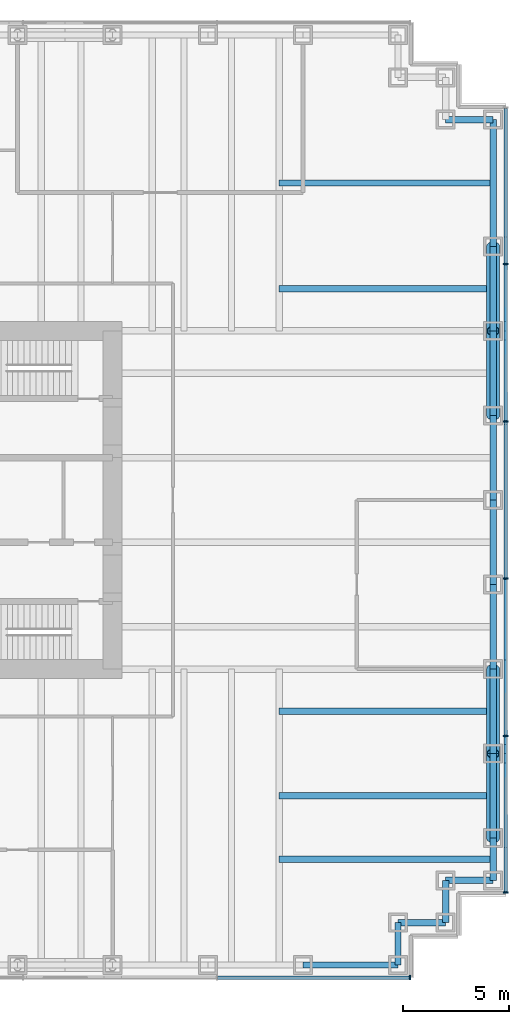
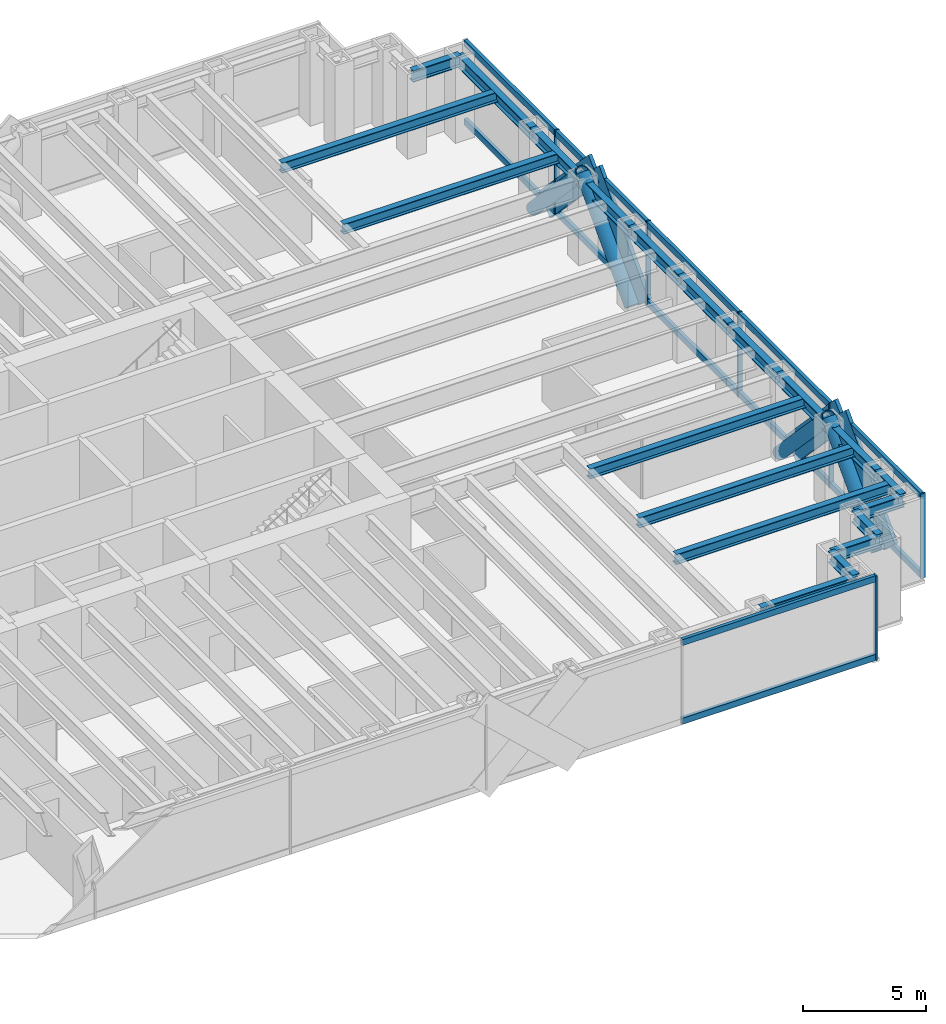
# One storey, part 8 of 15: 26 members, 20 beams, 2 elements without a shape of their own.
"""IFC4 building model written with IfcOpenShell, lengths in metres."""

from ifc_helpers import new_model, si_unit, direction, frame, origin, origin_2d, place, context, subcontext, project, spatial, rectangle, hollow_circle, i_section, extrude, material, material_profile, profile_set, type_object, element, aggregate, save


model = new_model("IFC4")

# Units and contexts
model_context = context("Model", 3, precision=1e-05, world=origin(), true_north=direction((0.0, 1.0)))
body_context = subcontext(model_context, "Body", "Model", "MODEL_VIEW")
ifc_project = project(units=[si_unit("LENGTHUNIT", "METRE"), si_unit("AREAUNIT", "SQUARE_METRE"), si_unit("VOLUMEUNIT", "CUBIC_METRE"), si_unit("PLANEANGLEUNIT", "RADIAN"), si_unit("MASSUNIT", "GRAM", prefix="KILO")], contexts=[model_context])

# Site, building, storey
site_placement = place(None, origin())
site = spatial("IfcSite", under=ifc_project, at=site_placement, CompositionType="ELEMENT")
building_placement = place(site_placement, origin())
building = spatial("IfcBuilding", under=site, at=building_placement, Name="Rheinbord Bourse Tower", CompositionType="ELEMENT")
storey_placement = place(building_placement, frame((0.0, 0.0, 108.89990234375)))
storey = spatial("IfcBuildingStorey", under=building, at=storey_placement, Name="L23", CompositionType="ELEMENT", Elevation=108.89990234375)

# Curtain wall, members
ifc_material_1 = material(Name="Dark glass and black aluminium", Category="aluminium")
curtain_wall_type = type_object("IfcCurtainWallType", Name="CW2 DARK GLASS CURTAIN WALL", PredefinedType="USERDEFINED", material=ifc_material_1)
curtain_wall_1_placement = place(storey_placement, origin())
curtain_wall_1 = element("IfcCurtainWall", 1, at=curtain_wall_1_placement, inside=storey, type_object=curtain_wall_type, Name="Curtain wall CW2 E L23", ObjectType="UNITISED CURTAIN WALL", PredefinedType="USERDEFINED")
ifc_material_2 = material(Name="Black anodised aluminium", Category="aluminium")
ifc_material_profile_1 = material_profile(ifc_material_2, rectangle(XDim=0.159912109375, YDim=1.2099609375, at=origin_2d()), Name="CW2 DIAGONAL MULLION 1210x160")
ifc_profile_set_1 = profile_set([ifc_material_profile_1], Name="Black anodised aluminium")
member_type_1 = type_object("IfcMemberType", Name="CW2 BLACK DIAGONAL MULLION", PredefinedType="USERDEFINED", material=ifc_profile_set_1)
member_1_placement = place(storey_placement, frame((72.60009765625, 28.0, 0.0), z_axis=(0.0, 0.689638355374, 0.72415394689), x_axis=(-1.0, 0.0, 0.0)))
member_1 = element("IfcMember", 2, at=member_1_placement, type_object=member_type_1, Name="CW2 diagonal mullion a", ObjectType="DIAGONAL MULLION", PredefinedType="USERDEFINED", context=body_context, shape_type="SweptSolid", body=[
    extrude(rectangle(XDim=0.159912109375, YDim=1.2099609375, at=origin_2d()), origin(), (0.0, 0.0, 1.0), 5.800048828125),
])
member_2_placement = place(storey_placement, frame((72.60009765625, 16.0, 0.0), z_axis=(0.0, -0.689638355374, 0.72415394689), x_axis=(1.0, 0.0, 0.0)))
member_2 = element("IfcMember", 3, at=member_2_placement, type_object=member_type_1, Name="CW2 diagonal mullion b", ObjectType="DIAGONAL MULLION", PredefinedType="USERDEFINED", context=body_context, shape_type="SweptSolid", body=[
    extrude(rectangle(XDim=0.159912109375, YDim=1.2099609375, at=origin_2d()), origin(), (0.0, 0.0, 1.0), 5.800048828125),
])
member_3_placement = place(storey_placement, frame((72.60009765625, 36.0, 0.0), z_axis=(0.0, -0.689638355374, 0.72415394689), x_axis=(1.0, 0.0, 0.0)))
member_3 = element("IfcMember", 4, at=member_3_placement, type_object=member_type_1, Name="CW2 diagonal mullion c", ObjectType="DIAGONAL MULLION", PredefinedType="USERDEFINED", context=body_context, shape_type="SweptSolid", body=[
    extrude(rectangle(XDim=0.159912109375, YDim=1.2099609375, at=origin_2d()), origin(), (0.0, 0.0, 1.0), 5.800048828125),
])
member_4_placement = place(storey_placement, frame((72.60009765625, 8.0, 0.0), z_axis=(0.0, 0.689638355374, 0.72415394689), x_axis=(-1.0, 0.0, 0.0)))
member_4 = element("IfcMember", 5, at=member_4_placement, type_object=member_type_1, Name="CW2 diagonal mullion d", ObjectType="DIAGONAL MULLION", PredefinedType="USERDEFINED", context=body_context, shape_type="SweptSolid", body=[
    extrude(rectangle(XDim=0.159912109375, YDim=1.2099609375, at=origin_2d()), origin(), (0.0, 0.0, 1.0), 5.800048828125),
])

# Curtain wall, member
curtain_wall_2_placement = place(storey_placement, origin())
curtain_wall_2 = element("IfcCurtainWall", 6, at=curtain_wall_2_placement, inside=storey, type_object=curtain_wall_type, Name="Curtain wall CW2 S L23", ObjectType="UNITISED CURTAIN WALL", PredefinedType="USERDEFINED")
ifc_material_3 = material(Name="Black anodised aluminium", Category="aluminium")
ifc_material_profile_2 = material_profile(ifc_material_3, rectangle(XDim=0.219970703125, YDim=0.070068359375, at=origin_2d()), Name="CW2 MULLION 70x220")
ifc_profile_set_2 = profile_set([ifc_material_profile_2], Name="Black anodised aluminium")
member_type_2 = type_object("IfcMemberType", Name="CW2 BLACK MULLION", PredefinedType="MULLION", material=ifc_profile_set_2)
member_5_placement = place(storey_placement, frame((68.06494140625, 1.39990234375, 0.0), z_axis=(0.0, 0.0, 1.0), x_axis=(0.0, 1.0, 0.0)))
member_5 = element("IfcMember", 7, at=member_5_placement, type_object=member_type_2, Name="CW2 mullion 8", PredefinedType="MULLION", context=body_context, shape_type="SweptSolid", body=[
    extrude(rectangle(XDim=0.219970703125, YDim=0.070068359375, at=origin_2d()), origin(), (0.0, 0.0, 1.0), 4.2001953125),
])

# Member
member_6_placement = place(storey_placement, frame((72.60009765625, 5.43505859375, 0.0), z_axis=(0.0, 0.0, 1.0), x_axis=(-1.0, 0.0, 0.0)))
member_6 = element("IfcMember", 8, at=member_6_placement, type_object=member_type_2, Name="CW2 mullion 1", PredefinedType="MULLION", context=body_context, shape_type="SweptSolid", body=[
    extrude(rectangle(XDim=0.219970703125, YDim=0.070068359375, at=origin_2d()), origin(), (0.0, 0.0, 1.0), 4.2001953125),
])

member_7_placement = place(storey_placement, frame((72.60009765625, 12.840087890625, 0.0), z_axis=(0.0, 0.0, 1.0), x_axis=(-1.0, 0.0, 0.0)))
member_7 = element("IfcMember", 9, at=member_7_placement, type_object=member_type_2, Name="CW2 mullion 2", PredefinedType="MULLION", context=body_context, shape_type="SweptSolid", body=[
    extrude(rectangle(XDim=0.219970703125, YDim=0.070068359375, at=origin_2d()), origin(), (0.0, 0.0, 1.0), 4.2001953125),
])

member_8_placement = place(storey_placement, frame((72.60009765625, 20.280029296875, 0.0), z_axis=(0.0, 0.0, 1.0), x_axis=(-1.0, 0.0, 0.0)))
member_8 = element("IfcMember", 10, at=member_8_placement, type_object=member_type_2, Name="CW2 mullion 3", PredefinedType="MULLION", context=body_context, shape_type="SweptSolid", body=[
    extrude(rectangle(XDim=0.219970703125, YDim=0.070068359375, at=origin_2d()), origin(), (0.0, 0.0, 1.0), 4.2001953125),
])

member_9_placement = place(storey_placement, frame((72.60009765625, 27.719970703125, 0.0), z_axis=(0.0, 0.0, 1.0), x_axis=(-1.0, 0.0, 0.0)))
member_9 = element("IfcMember", 11, at=member_9_placement, type_object=member_type_2, Name="CW2 mullion 4", PredefinedType="MULLION", context=body_context, shape_type="SweptSolid", body=[
    extrude(rectangle(XDim=0.219970703125, YDim=0.070068359375, at=origin_2d()), origin(), (0.0, 0.0, 1.0), 4.2001953125),
])

member_10_placement = place(storey_placement, frame((72.60009765625, 35.159912109375, 0.0), z_axis=(0.0, 0.0, 1.0), x_axis=(-1.0, 0.0, 0.0)))
member_10 = element("IfcMember", 12, at=member_10_placement, type_object=member_type_2, Name="CW2 mullion 5", PredefinedType="MULLION", context=body_context, shape_type="SweptSolid", body=[
    extrude(rectangle(XDim=0.219970703125, YDim=0.070068359375, at=origin_2d()), origin(), (0.0, 0.0, 1.0), 4.2001953125),
])

ifc_material_4 = material(Name="Black anodised aluminium", Category="aluminium")
ifc_material_profile_3 = material_profile(ifc_material_4, rectangle(XDim=0.159912109375, YDim=0.300048828125, at=origin_2d()), Name="CW2 TRANSOM 300x160")
ifc_profile_set_3 = profile_set([ifc_material_profile_3], Name="Black anodised aluminium")
member_type_3 = type_object("IfcMemberType", Name="CW2 BLACK TRANSOM", PredefinedType="USERDEFINED", material=ifc_profile_set_3)
member_11_placement = place(storey_placement, frame((58.963623046875, 1.39990234375, 0.150146484375), z_axis=(1.0, 0.0, 0.0), x_axis=(0.0, 1.0, 0.0)))
member_11 = element("IfcMember", 13, at=member_11_placement, type_object=member_type_3, Name="CW2 transom 7.1", ObjectType="TRANSOM", PredefinedType="USERDEFINED", context=body_context, shape_type="SweptSolid", body=[
    extrude(rectangle(XDim=0.159912109375, YDim=0.300048828125, at=origin_2d()), origin(), (0.0, 0.0, 1.0), 9.06640625),
])

member_12_placement = place(storey_placement, frame((58.963623046875, 1.39990234375, 4.050048828125), z_axis=(1.0, 0.0, 0.0), x_axis=(0.0, 1.0, 0.0)))
member_12 = element("IfcMember", 14, at=member_12_placement, type_object=member_type_3, Name="CW2 transom 7.2", ObjectType="TRANSOM", PredefinedType="USERDEFINED", context=body_context, shape_type="SweptSolid", body=[
    extrude(rectangle(XDim=0.159912109375, YDim=0.300048828125, at=origin_2d()), origin(), (0.0, 0.0, 1.0), 9.06640625),
])

aggregate(curtain_wall_2, [member_5, member_11, member_12])

member_13_placement = place(storey_placement, frame((72.60009765625, 5.469970703125, 0.150146484375), z_axis=(0.0, 1.0, 0.0), x_axis=(-1.0, 0.0, 0.0)))
member_13 = element("IfcMember", 15, at=member_13_placement, type_object=member_type_3, Name="CW2 transom 1.1", ObjectType="TRANSOM", PredefinedType="USERDEFINED", context=body_context, shape_type="SweptSolid", body=[
    extrude(rectangle(XDim=0.159912109375, YDim=0.300048828125, at=origin_2d()), origin(), (0.0, 0.0, 1.0), 7.3349609375),
])

member_14_placement = place(storey_placement, frame((72.60009765625, 5.469970703125, 4.050048828125), z_axis=(0.0, 1.0, 0.0), x_axis=(-1.0, 0.0, 0.0)))
member_14 = element("IfcMember", 16, at=member_14_placement, type_object=member_type_3, Name="CW2 transom 1.2", ObjectType="TRANSOM", PredefinedType="USERDEFINED", context=body_context, shape_type="SweptSolid", body=[
    extrude(rectangle(XDim=0.159912109375, YDim=0.300048828125, at=origin_2d()), origin(), (0.0, 0.0, 1.0), 7.3349609375),
])

member_15_placement = place(storey_placement, frame((72.60009765625, 12.875, 0.150146484375), z_axis=(0.0, 1.0, 0.0), x_axis=(-1.0, 0.0, 0.0)))
member_15 = element("IfcMember", 17, at=member_15_placement, type_object=member_type_3, Name="CW2 transom 2.1", ObjectType="TRANSOM", PredefinedType="USERDEFINED", context=body_context, shape_type="SweptSolid", body=[
    extrude(rectangle(XDim=0.159912109375, YDim=0.300048828125, at=origin_2d()), origin(), (0.0, 0.0, 1.0), 7.3701171875),
])

member_16_placement = place(storey_placement, frame((72.60009765625, 12.875, 4.050048828125), z_axis=(0.0, 1.0, 0.0), x_axis=(-1.0, 0.0, 0.0)))
member_16 = element("IfcMember", 18, at=member_16_placement, type_object=member_type_3, Name="CW2 transom 2.2", ObjectType="TRANSOM", PredefinedType="USERDEFINED", context=body_context, shape_type="SweptSolid", body=[
    extrude(rectangle(XDim=0.159912109375, YDim=0.300048828125, at=origin_2d()), origin(), (0.0, 0.0, 1.0), 7.3701171875),
])

member_17_placement = place(storey_placement, frame((72.60009765625, 20.31494140625, 0.150146484375), z_axis=(0.0, 1.0, 0.0), x_axis=(-1.0, 0.0, 0.0)))
member_17 = element("IfcMember", 19, at=member_17_placement, type_object=member_type_3, Name="CW2 transom 3.1", ObjectType="TRANSOM", PredefinedType="USERDEFINED", context=body_context, shape_type="SweptSolid", body=[
    extrude(rectangle(XDim=0.159912109375, YDim=0.300048828125, at=origin_2d()), origin(), (0.0, 0.0, 1.0), 7.3701171875),
])

member_18_placement = place(storey_placement, frame((72.60009765625, 20.31494140625, 4.050048828125), z_axis=(0.0, 1.0, 0.0), x_axis=(-1.0, 0.0, 0.0)))
member_18 = element("IfcMember", 20, at=member_18_placement, type_object=member_type_3, Name="CW2 transom 3.2", ObjectType="TRANSOM", PredefinedType="USERDEFINED", context=body_context, shape_type="SweptSolid", body=[
    extrude(rectangle(XDim=0.159912109375, YDim=0.300048828125, at=origin_2d()), origin(), (0.0, 0.0, 1.0), 7.3701171875),
])

member_19_placement = place(storey_placement, frame((72.60009765625, 27.7548828125, 0.150146484375), z_axis=(0.0, 1.0, 0.0), x_axis=(-1.0, 0.0, 0.0)))
member_19 = element("IfcMember", 21, at=member_19_placement, type_object=member_type_3, Name="CW2 transom 4.1", ObjectType="TRANSOM", PredefinedType="USERDEFINED", context=body_context, shape_type="SweptSolid", body=[
    extrude(rectangle(XDim=0.159912109375, YDim=0.300048828125, at=origin_2d()), origin(), (0.0, 0.0, 1.0), 7.3701171875),
])

member_20_placement = place(storey_placement, frame((72.60009765625, 27.7548828125, 4.050048828125), z_axis=(0.0, 1.0, 0.0), x_axis=(-1.0, 0.0, 0.0)))
member_20 = element("IfcMember", 22, at=member_20_placement, type_object=member_type_3, Name="CW2 transom 4.2", ObjectType="TRANSOM", PredefinedType="USERDEFINED", context=body_context, shape_type="SweptSolid", body=[
    extrude(rectangle(XDim=0.159912109375, YDim=0.300048828125, at=origin_2d()), origin(), (0.0, 0.0, 1.0), 7.3701171875),
])

member_21_placement = place(storey_placement, frame((72.60009765625, 35.195068359375, 0.150146484375), z_axis=(0.0, 1.0, 0.0), x_axis=(-1.0, 0.0, 0.0)))
member_21 = element("IfcMember", 23, at=member_21_placement, type_object=member_type_3, Name="CW2 transom 5.1", ObjectType="TRANSOM", PredefinedType="USERDEFINED", context=body_context, shape_type="SweptSolid", body=[
    extrude(rectangle(XDim=0.159912109375, YDim=0.300048828125, at=origin_2d()), origin(), (0.0, 0.0, 1.0), 7.3349609375),
])

member_22_placement = place(storey_placement, frame((72.60009765625, 35.195068359375, 4.050048828125), z_axis=(0.0, 1.0, 0.0), x_axis=(-1.0, 0.0, 0.0)))
member_22 = element("IfcMember", 24, at=member_22_placement, type_object=member_type_3, Name="CW2 transom 5.2", ObjectType="TRANSOM", PredefinedType="USERDEFINED", context=body_context, shape_type="SweptSolid", body=[
    extrude(rectangle(XDim=0.159912109375, YDim=0.300048828125, at=origin_2d()), origin(), (0.0, 0.0, 1.0), 7.3349609375),
])

aggregate(curtain_wall_1, [member_6, member_7, member_8, member_9, member_10, member_13, member_14, member_15, member_16, member_17, member_18, member_19, member_20, member_21, member_22, member_1, member_2, member_3, member_4])

# Members
ifc_material_5 = material(Name="Steel S460", Category="steel")
ifc_material_profile_4 = material_profile(ifc_material_5, hollow_circle(Radius=0.304931640625, WallThickness=0.0400390625, at=origin_2d()), Name="CHS 610x40")
ifc_profile_set_4 = profile_set([ifc_material_profile_4], Name="Steel S460")
member_type_4 = type_object("IfcMemberType", Name="MEGABRACE CHS 610x40", PredefinedType="BRACE", material=ifc_profile_set_4)
for number, where, z_axis, x_axis, name in (
    (25, (72.0, 28.0, 0.0), (0.0, 0.689638355374, 0.72415394689), (-1.0, 0.0, 0.0), "Megabrace E face line a L23"),
    (26, (72.0, 16.0, 0.0), (0.0, -0.689638355374, 0.72415394689), (1.0, 0.0, 0.0), "Megabrace E face line b L23"),
    (27, (72.0, 36.0, 0.0), (0.0, -0.689638355374, 0.72415394689), (1.0, 0.0, 0.0), "Megabrace E face line c L23"),
    (28, (72.0, 8.0, 0.0), (0.0, 0.689638355374, 0.72415394689), (-1.0, 0.0, 0.0), "Megabrace E face line d L23"),
):
    element("IfcMember", number, at=place(storey_placement, frame(where, z_axis=z_axis, x_axis=x_axis)), inside=storey, type_object=member_type_4, Name=name, PredefinedType="BRACE", context=body_context, shape_type="SweptSolid", body=[
        extrude(hollow_circle(Radius=0.304931640625, WallThickness=0.0400390625, at=origin_2d()), origin(), (0.0, 0.0, 1.0), 5.800048828125),
    ])

# Beams
ifc_material_6 = material(Name="Steel S460", Category="steel")
ifc_material_profile_5 = material_profile(ifc_material_6, i_section(OverallWidth=0.305908203125, OverallDepth=0.572021484375, WebThickness=0.02099609375, FlangeThickness=0.0400390625, at=origin_2d()), Name="HEM 550")
ifc_profile_set_5 = profile_set([ifc_material_profile_5], Name="Steel S460")
beam_type_1 = type_object("IfcBeamType", Name="SPANDREL HEM 550", PredefinedType="SPANDREL", material=ifc_profile_set_5)
beam_1_placement = place(storey_placement, frame((63.0, 2.0, 3.754150390625), z_axis=(1.0, 0.0, 0.0), x_axis=(0.0, 1.0, 0.0)))
element("IfcBeam", 29, at=beam_1_placement, inside=storey, type_object=beam_type_1, Name="Spandrel S-63-SE-E under L24", PredefinedType="SPANDREL", context=body_context, shape_type="SweptSolid", body=[
    extrude(i_section(OverallWidth=0.305908203125, OverallDepth=0.572021484375, WebThickness=0.02099609375, FlangeThickness=0.0400390625, at=origin_2d()), origin(), (0.0, 0.0, 1.0), 4.5),
])
beam_2_placement = place(storey_placement, frame((67.5, 2.0, 3.754150390625), z_axis=(0.0, 1.0, 0.0), x_axis=(-1.0, 0.0, 0.0)))
element("IfcBeam", 30, at=beam_2_placement, inside=storey, type_object=beam_type_1, Name="Spandrel SE-E-SE-D under L24", PredefinedType="SPANDREL", context=body_context, shape_type="SweptSolid", body=[
    extrude(i_section(OverallWidth=0.305908203125, OverallDepth=0.572021484375, WebThickness=0.02099609375, FlangeThickness=0.0400390625, at=origin_2d()), origin(), (0.0, 0.0, 1.0), 2.0),
])
beam_3_placement = place(storey_placement, frame((67.5, 4.0, 3.754150390625), z_axis=(1.0, 0.0, 0.0), x_axis=(0.0, 1.0, 0.0)))
element("IfcBeam", 31, at=beam_3_placement, inside=storey, type_object=beam_type_1, Name="Spandrel SE-D-SE-C under L24", PredefinedType="SPANDREL", context=body_context, shape_type="SweptSolid", body=[
    extrude(i_section(OverallWidth=0.305908203125, OverallDepth=0.572021484375, WebThickness=0.02099609375, FlangeThickness=0.0400390625, at=origin_2d()), origin(), (0.0, 0.0, 1.0), 2.25),
])
beam_4_placement = place(storey_placement, frame((69.75, 4.0, 3.754150390625), z_axis=(0.0, 1.0, 0.0), x_axis=(-1.0, 0.0, 0.0)))
element("IfcBeam", 32, at=beam_4_placement, inside=storey, type_object=beam_type_1, Name="Spandrel SE-C-SE-B under L24", PredefinedType="SPANDREL", context=body_context, shape_type="SweptSolid", body=[
    extrude(i_section(OverallWidth=0.305908203125, OverallDepth=0.572021484375, WebThickness=0.02099609375, FlangeThickness=0.0400390625, at=origin_2d()), origin(), (0.0, 0.0, 1.0), 2.0),
])
beam_5_placement = place(storey_placement, frame((69.75, 6.0, 3.754150390625), z_axis=(1.0, 0.0, 0.0), x_axis=(0.0, 1.0, 0.0)))
element("IfcBeam", 33, at=beam_5_placement, inside=storey, type_object=beam_type_1, Name="Spandrel SE-B-SE-A under L24", PredefinedType="SPANDREL", context=body_context, shape_type="SweptSolid", body=[
    extrude(i_section(OverallWidth=0.305908203125, OverallDepth=0.572021484375, WebThickness=0.02099609375, FlangeThickness=0.0400390625, at=origin_2d()), origin(), (0.0, 0.0, 1.0), 2.25),
])
beam_6_placement = place(storey_placement, frame((72.0, 6.0, 3.754150390625), z_axis=(0.0, 1.0, 0.0), x_axis=(-1.0, 0.0, 0.0)))
element("IfcBeam", 34, at=beam_6_placement, inside=storey, type_object=beam_type_1, Name="Spandrel SE-A-E-8 under L24", PredefinedType="SPANDREL", context=body_context, shape_type="SweptSolid", body=[
    extrude(i_section(OverallWidth=0.305908203125, OverallDepth=0.572021484375, WebThickness=0.02099609375, FlangeThickness=0.0400390625, at=origin_2d()), origin(), (0.0, 0.0, 1.0), 2.0),
])
for number, where, z_axis, x_axis, name in (
    (35, (72.0, 8.0, 3.754150390625), (0.0, 1.0, 0.0), (-1.0, 0.0, 0.0), "Spandrel E-8-E-12 under L24"),
    (36, (72.0, 12.0, 3.754150390625), (0.0, 1.0, 0.0), (-1.0, 0.0, 0.0), "Spandrel E-12-E-16 under L24"),
    (37, (72.0, 16.0, 3.754150390625), (0.0, 1.0, 0.0), (-1.0, 0.0, 0.0), "Spandrel E-16-E-20 under L24"),
    (38, (72.0, 20.0, 3.754150390625), (0.0, 1.0, 0.0), (-1.0, 0.0, 0.0), "Spandrel E-20-E-24 under L24"),
    (39, (72.0, 24.0, 3.754150390625), (0.0, 1.0, 0.0), (-1.0, 0.0, 0.0), "Spandrel E-24-E-28 under L24"),
    (40, (72.0, 28.0, 3.754150390625), (0.0, 1.0, 0.0), (-1.0, 0.0, 0.0), "Spandrel E-28-E-32 under L24"),
    (41, (72.0, 32.0, 3.754150390625), (0.0, 1.0, 0.0), (-1.0, 0.0, 0.0), "Spandrel E-32-E-36 under L24"),
):
    element("IfcBeam", number, at=place(storey_placement, frame(where, z_axis=z_axis, x_axis=x_axis)), inside=storey, type_object=beam_type_1, Name=name, PredefinedType="SPANDREL", context=body_context, shape_type="SweptSolid", body=[
        extrude(i_section(OverallWidth=0.305908203125, OverallDepth=0.572021484375, WebThickness=0.02099609375, FlangeThickness=0.0400390625, at=origin_2d()), origin(), (0.0, 0.0, 1.0), 4.0),
    ])
beam_7_placement = place(storey_placement, frame((72.0, 36.0, 3.754150390625), z_axis=(0.0, 1.0, 0.0), x_axis=(-1.0, 0.0, 0.0)))
element("IfcBeam", 42, at=beam_7_placement, inside=storey, type_object=beam_type_1, Name="Spandrel E-36-NE-A under L24", PredefinedType="SPANDREL", context=body_context, shape_type="SweptSolid", body=[
    extrude(i_section(OverallWidth=0.305908203125, OverallDepth=0.572021484375, WebThickness=0.02099609375, FlangeThickness=0.0400390625, at=origin_2d()), origin(), (0.0, 0.0, 1.0), 6.0),
])
beam_8_placement = place(storey_placement, frame((72.0, 42.0, 3.754150390625), z_axis=(-1.0, 0.0, 0.0), x_axis=(0.0, -1.0, 0.0)))
element("IfcBeam", 43, at=beam_8_placement, inside=storey, type_object=beam_type_1, Name="Spandrel NE-A-NE-B under L24", PredefinedType="SPANDREL", context=body_context, shape_type="SweptSolid", body=[
    extrude(i_section(OverallWidth=0.305908203125, OverallDepth=0.572021484375, WebThickness=0.02099609375, FlangeThickness=0.0400390625, at=origin_2d()), origin(), (0.0, 0.0, 1.0), 2.25),
])
ifc_material_7 = material(Name="Steel S460", Category="steel")
ifc_material_profile_6 = material_profile(ifc_material_7, i_section(OverallWidth=0.300048828125, OverallDepth=0.5, WebThickness=0.014404296875, FlangeThickness=0.028076171875, at=origin_2d()), Name="HEB 500")
ifc_profile_set_6 = profile_set([ifc_material_profile_6], Name="Steel S460")
beam_type_2 = type_object("IfcBeamType", Name="TIE BEAM HEB 500", PredefinedType="JOIST", material=ifc_profile_set_6)
for number, where, z_axis, x_axis, name in (
    (44, (61.875, 7.0, 3.7900390625), (1.0, 0.0, 0.0), (0.0, 1.0, 0.0), "Tie east 7 L24"),
    (45, (61.875, 10.0, 3.7900390625), (1.0, 0.0, 0.0), (0.0, 1.0, 0.0), "Tie east 10 L24"),
    (46, (61.875, 14.0, 3.7900390625), (1.0, 0.0, 0.0), (0.0, 1.0, 0.0), "Tie east 14 L24"),
    (47, (61.875, 34.0, 3.7900390625), (1.0, 0.0, 0.0), (0.0, 1.0, 0.0), "Tie east 34 L24"),
    (48, (61.875, 39.0, 3.7900390625), (1.0, 0.0, 0.0), (0.0, 1.0, 0.0), "Tie east 39 L24"),
):
    element("IfcBeam", number, at=place(storey_placement, frame(where, z_axis=z_axis, x_axis=x_axis)), inside=storey, type_object=beam_type_2, Name=name, PredefinedType="JOIST", context=body_context, shape_type="SweptSolid", body=[
        extrude(i_section(OverallWidth=0.300048828125, OverallDepth=0.5, WebThickness=0.014404296875, FlangeThickness=0.028076171875, at=origin_2d()), origin(), (0.0, 0.0, 1.0), 10.125),
    ])

save(model, "model.ifc")
